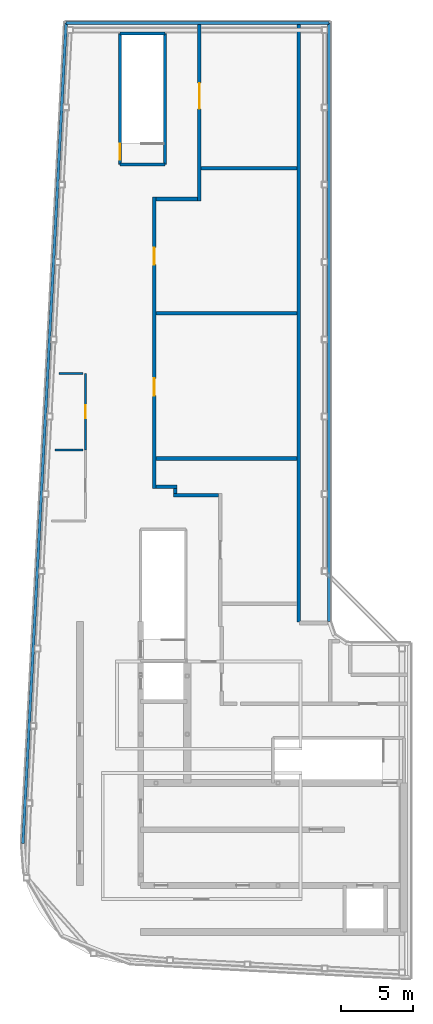
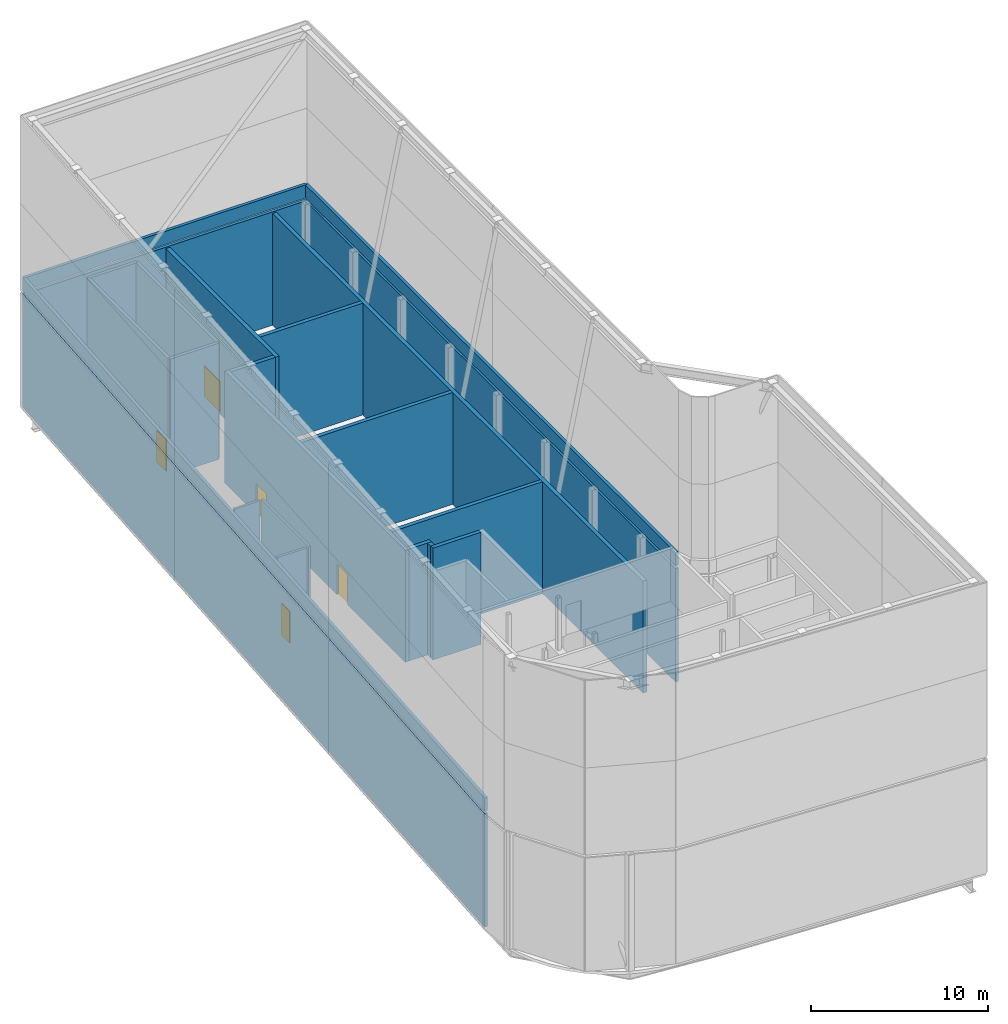
# One storey, part 6 of 7: 23 walls, 5 doors, 5 openings.
"""IFC4 building model written with IfcOpenShell, lengths in metres."""

from ifc_helpers import new_model, si_unit, direction, frame, frame_2d, origin, place, context, subcontext, project, spatial, rectangle, extrude, source, transform, mapped, material, layer, layer_set, type_object, element, fill, save


model = new_model("IFC4")

# Units and contexts
model_context = context("Model", 3, precision=1e-05, world=origin(), true_north=direction((0.0, 1.0)))
body_context = subcontext(model_context, "Body", "Model", "MODEL_VIEW")
ifc_project = project(units=[si_unit("LENGTHUNIT", "METRE"), si_unit("AREAUNIT", "SQUARE_METRE"), si_unit("VOLUMEUNIT", "CUBIC_METRE"), si_unit("PLANEANGLEUNIT", "RADIAN"), si_unit("MASSUNIT", "GRAM", prefix="KILO")], contexts=[model_context])

# Site, building, storey
site_placement = place(None, origin())
site = spatial("IfcSite", under=ifc_project, at=site_placement, CompositionType="ELEMENT")
building_placement = place(site_placement, origin())
building = spatial("IfcBuilding", under=site, at=building_placement, Name="Kheshtan School and Residences Tower", CompositionType="ELEMENT")
storey_placement = place(building_placement, frame((0.0, 0.0, 404.800048828125)))
storey = spatial("IfcBuildingStorey", under=building, at=storey_placement, Name="L94", CompositionType="ELEMENT", Elevation=404.800048828125)

# Walls
ifc_material_1 = material(Name="Concrete C40/50 with ceramic cladding and mineral wool insulation", Category="concrete")
ifc_layer_1 = layer(ifc_material_1, 0.199951171875)
ifc_layer_set_1 = layer_set([ifc_layer_1], Name="Plant enclosure wall 200")
wall_type_1 = type_object("IfcWallType", Name="Plant enclosure wall 200", PredefinedType="SOLIDWALL", material=ifc_layer_set_1)
wall_1_placement = place(storey_placement, frame((26.52001953125, 31.989990234375, 0.0), z_axis=(0.0, 0.0, 1.0), x_axis=(0.052572230023, 0.998617124142, 0.0)))
element("IfcWall", 1, at=wall_1_placement, inside=storey, type_object=wall_type_1, Name="Plant enclosure wall L94 10", PredefinedType="SOLIDWALL", context=body_context, shape_type="SweptSolid", body=[
    extrude(rectangle(XDim=57.389404296875, YDim=0.199951171875, at=frame_2d((28.69482421875, 0.0))), origin(), (0.0, 0.0, 1.0), 7.800048828125),
])
wall_2_placement = place(storey_placement, frame((29.537109375, 89.300048828125, 0.0), z_axis=(0.0, 0.0, 1.0), x_axis=(1.0, 0.0, 0.0)))
element("IfcWall", 2, at=wall_2_placement, inside=storey, type_object=wall_type_1, Name="Plant enclosure wall L94 11", PredefinedType="SOLIDWALL", context=body_context, shape_type="SweptSolid", body=[
    extrude(rectangle(XDim=18.36279296875, YDim=0.199951171875, at=frame_2d((9.181396484375, 0.0))), origin(), (0.0, 0.0, 1.0), 7.800048828125),
])
wall_3_placement = place(storey_placement, frame((47.89990234375, 89.300048828125, 0.0), z_axis=(0.0, 0.0, 1.0), x_axis=(0.0, -1.0, 0.0)))
element("IfcWall", 3, at=wall_3_placement, inside=storey, type_object=wall_type_1, Name="Plant enclosure wall L94 12", PredefinedType="SOLIDWALL", context=body_context, shape_type="SweptSolid", body=[
    extrude(rectangle(XDim=41.817138671875, YDim=0.199951171875, at=frame_2d((20.90869140625, 0.0))), origin(), (0.0, 0.0, 1.0), 7.800048828125),
])

# Wall, openings, doors
ifc_material_2 = material(Name="Fire-board and steel stud wall with mineral wool", Category="steel")
ifc_layer_2 = layer(ifc_material_2, 0.25)
ifc_layer_set_2 = layer_set([ifc_layer_2], Name="Plant room wall 250")
wall_type_2 = type_object("IfcWallType", Name="Plant room wall 250", PredefinedType="PARTITIONING", material=ifc_layer_set_2)
wall_4_placement = place(storey_placement, frame((35.699951171875, 56.77490234375, 0.0), z_axis=(0.0, 0.0, 1.0), x_axis=(0.0, 1.0, 0.0)))
wall_4 = element("IfcWall", 4, at=wall_4_placement, inside=storey, type_object=wall_type_2, Name="Partition L94-001", PredefinedType="PARTITIONING", context=body_context, shape_type="SweptSolid", body=[
    extrude(rectangle(XDim=20.35009765625, YDim=0.25, at=frame_2d((10.175048828125, 0.0))), origin(), (0.0, 0.0, 1.0), 7.699951171875),
])
opening_1_placement = place(wall_4_placement, frame((6.4970703125, 0.0, 0.0)))
opening_1 = element("IfcOpeningElement", 5, at=opening_1_placement, cuts=wall_4, Name="Opening D94-004", PredefinedType="OPENING", context=body_context, shape_type="SweptSolid", body=[
    extrude(rectangle(XDim=1.199951171875, YDim=2.10009765625, at=frame_2d((0.60009765625, 1.050048828125))), frame((0.0, 0.135009765625, 0.0), z_axis=(0.0, -1.0, 0.0), x_axis=(1.0, 0.0, 0.0)), (0.0, 0.0, 1.0), 0.27001953125),
])
opening_2_placement = place(wall_4_placement, frame((15.633056640625, 0.0, 0.0)))
opening_2 = element("IfcOpeningElement", 6, at=opening_2_placement, cuts=wall_4, Name="Opening D94-005", PredefinedType="OPENING", context=body_context, shape_type="SweptSolid", body=[
    extrude(rectangle(XDim=1.199951171875, YDim=2.10009765625, at=frame_2d((0.60009765625, 1.050048828125))), frame((0.0, 0.135009765625, 0.0), z_axis=(0.0, -1.0, 0.0), x_axis=(1.0, 0.0, 0.0)), (0.0, 0.0, 1.0), 0.27001953125),
])
ifc_material_3 = material(Name="Steel-framed fire-resisting door leaf", Category="steel")
door_type_1 = type_object("IfcDoorType", Name="Fire door FD120 1200 x 2100", OperationType="SINGLE_SWING_LEFT", PredefinedType="DOOR", material=ifc_material_3)
shared_shape_1 = source(origin(), body_context, "Body", "SweptSolid", [
    extrude(rectangle(XDim=1.199951171875, YDim=2.10009765625, at=frame_2d((0.60009765625, 1.050048828125))), frame((0.0, 0.02490234375, 0.0), z_axis=(0.0, -1.0, 0.0), x_axis=(1.0, 0.0, 0.0)), (0.0, 0.0, 1.0), 0.050048828125),
])
door_1_placement = place(opening_1_placement, origin())
door_1 = element("IfcDoor", 7, at=door_1_placement, inside=storey, type_object=door_type_1, Name="Door D94-004", OperationType="SINGLE_SWING_RIGHT", OverallHeight=2.10009765625, OverallWidth=1.199951171875, PredefinedType="DOOR", context=body_context, shape_type="MappedRepresentation", body=[
    mapped(shared_shape_1, transform((0.0, 0.0, 0.0), x_axis=(1.0, 0.0, 0.0), y_axis=(0.0, 1.0, 0.0), z_axis=(0.0, 0.0, 1.0), scale=1.0)),
])
fill(opening_1, door_1)
door_2_placement = place(opening_2_placement, origin())
door_2 = element("IfcDoor", 8, at=door_2_placement, inside=storey, type_object=door_type_1, Name="Door D94-005", OperationType="SINGLE_SWING_LEFT", OverallHeight=2.10009765625, OverallWidth=1.199951171875, PredefinedType="DOOR", context=body_context, shape_type="MappedRepresentation", body=[
    mapped(shared_shape_1, transform((0.0, 0.0, 0.0), x_axis=(1.0, 0.0, 0.0), y_axis=(0.0, 1.0, 0.0), z_axis=(0.0, 0.0, 1.0), scale=1.0)),
])
fill(opening_2, door_2)

# Walls
wall_5_placement = place(storey_placement, frame((35.824951171875, 56.89990234375, 0.0), z_axis=(0.0, 0.0, 1.0), x_axis=(1.0, 0.0, 0.0)))
element("IfcWall", 9, at=wall_5_placement, inside=storey, type_object=wall_type_2, Name="Partition L94-002", PredefinedType="PARTITIONING", context=body_context, shape_type="SweptSolid", body=[
    extrude(rectangle(XDim=1.449951171875, YDim=0.25, at=frame_2d((0.72509765625, 0.0))), origin(), (0.0, 0.0, 1.0), 7.699951171875),
])
for number, where, z_axis, x_axis, name in (
    (10, (35.824951171875, 58.8720703125, 0.0), (0.0, 0.0, 1.0), (1.0, 0.0, 0.0), "Partition L94-003"),
    (11, (35.824951171875, 69.008056640625, 0.0), (0.0, 0.0, 1.0), (1.0, 0.0, 0.0), "Partition L94-004"),
):
    element("IfcWall", number, at=place(storey_placement, frame(where, z_axis=z_axis, x_axis=x_axis)), inside=storey, type_object=wall_type_2, Name=name, PredefinedType="PARTITIONING", context=body_context, shape_type="SweptSolid", body=[
        extrude(rectangle(XDim=9.830078125, YDim=0.25, at=frame_2d((4.9150390625, 0.0))), origin(), (0.0, 0.0, 1.0), 7.699951171875),
    ])
wall_6_placement = place(storey_placement, frame((35.824951171875, 77.0, 0.0), z_axis=(0.0, 0.0, 1.0), x_axis=(1.0, 0.0, 0.0)))
element("IfcWall", 12, at=wall_6_placement, inside=storey, type_object=wall_type_2, Name="Partition L94-005", PredefinedType="PARTITIONING", context=body_context, shape_type="SweptSolid", body=[
    extrude(rectangle(XDim=2.900146484375, YDim=0.25, at=frame_2d((1.4501953125, 0.0))), origin(), (0.0, 0.0, 1.0), 7.699951171875),
])
wall_7_placement = place(storey_placement, frame((37.02490234375, 56.31005859375, 0.0), z_axis=(0.0, 0.0, 1.0), x_axis=(1.0, 0.0, 0.0)))
element("IfcWall", 13, at=wall_7_placement, inside=storey, type_object=wall_type_2, Name="Partition L94-006", PredefinedType="PARTITIONING", context=body_context, shape_type="SweptSolid", body=[
    extrude(rectangle(XDim=3.150146484375, YDim=0.25, at=frame_2d((1.5751953125, 0.0))), origin(), (0.0, 0.0, 1.0), 7.699951171875),
])
wall_8_placement = place(storey_placement, frame((37.14990234375, 56.43505859375, 0.0), z_axis=(0.0, 0.0, 1.0), x_axis=(0.0, 1.0, 0.0)))
element("IfcWall", 14, at=wall_8_placement, inside=storey, type_object=wall_type_2, Name="Partition L94-007", PredefinedType="PARTITIONING", context=body_context, shape_type="SweptSolid", body=[
    extrude(rectangle(XDim=0.33984375, YDim=0.25, at=frame_2d((0.169921875, 0.0))), origin(), (0.0, 0.0, 1.0), 7.699951171875),
])

# Wall, opening, door
wall_9_placement = place(storey_placement, frame((38.85009765625, 76.875, 0.0), z_axis=(0.0, 0.0, 1.0), x_axis=(0.0, 1.0, 0.0)))
wall_9 = element("IfcWall", 15, at=wall_9_placement, inside=storey, type_object=wall_type_2, Name="Partition L94-008", PredefinedType="PARTITIONING", context=body_context, shape_type="SweptSolid", body=[
    extrude(rectangle(XDim=12.325927734375, YDim=0.25, at=frame_2d((6.1630859375, 0.0))), origin(), (0.0, 0.0, 1.0), 7.699951171875),
])
opening_3_placement = place(wall_9_placement, frame((6.4189453125, 0.0, 0.0)))
opening_3 = element("IfcOpeningElement", 16, at=opening_3_placement, cuts=wall_9, Name="Opening D94-006", PredefinedType="OPENING", context=body_context, shape_type="SweptSolid", body=[
    extrude(rectangle(XDim=1.800048828125, YDim=2.10009765625, at=frame_2d((0.89990234375, 1.050048828125))), frame((0.0, 0.135009765625, 0.0), z_axis=(0.0, -1.0, 0.0), x_axis=(1.0, 0.0, 0.0)), (0.0, 0.0, 1.0), 0.27001953125),
])
door_type_2 = type_object("IfcDoorType", Name="Fire double door FD120 1800 x 2100", OperationType="DOUBLE_DOOR_SINGLE_SWING", PredefinedType="DOOR", material=ifc_material_3)
shared_shape_2 = source(origin(), body_context, "Body", "SweptSolid", [
    extrude(rectangle(XDim=1.800048828125, YDim=2.10009765625, at=frame_2d((0.89990234375, 1.050048828125))), frame((0.0, 0.02490234375, 0.0), z_axis=(0.0, -1.0, 0.0), x_axis=(1.0, 0.0, 0.0)), (0.0, 0.0, 1.0), 0.050048828125),
])
door_3_placement = place(opening_3_placement, origin())
door_3 = element("IfcDoor", 17, at=door_3_placement, inside=storey, type_object=door_type_2, Name="Door D94-006", OperationType="DOUBLE_DOOR_SINGLE_SWING", OverallHeight=2.10009765625, OverallWidth=1.800048828125, PredefinedType="DOOR", context=body_context, shape_type="MappedRepresentation", body=[
    mapped(shared_shape_2, transform((0.0, 0.0, 0.0), x_axis=(1.0, 0.0, 0.0), y_axis=(0.0, 1.0, 0.0), z_axis=(0.0, 0.0, 1.0), scale=1.0)),
])
fill(opening_3, door_3)

# Walls
wall_10_placement = place(storey_placement, frame((38.97509765625, 79.14404296875, 0.0), z_axis=(0.0, 0.0, 1.0), x_axis=(1.0, 0.0, 0.0)))
element("IfcWall", 18, at=wall_10_placement, inside=storey, type_object=wall_type_2, Name="Partition L94-009", PredefinedType="PARTITIONING", context=body_context, shape_type="SweptSolid", body=[
    extrude(rectangle(XDim=6.679931640625, YDim=0.25, at=frame_2d((3.33984375, 0.0))), origin(), (0.0, 0.0, 1.0), 7.699951171875),
])
wall_11_placement = place(storey_placement, frame((45.780029296875, 47.450927734375, 0.0), z_axis=(0.0, 0.0, 1.0), x_axis=(0.0, 1.0, 0.0)))
element("IfcWall", 19, at=wall_11_placement, inside=storey, type_object=wall_type_2, Name="Partition L94-016", PredefinedType="PARTITIONING", context=body_context, shape_type="SweptSolid", body=[
    extrude(rectangle(XDim=41.75, YDim=0.25, at=frame_2d((20.875, 0.0))), origin(), (0.0, 0.0, 1.0), 7.699951171875),
])
ifc_layer_3 = layer(ifc_material_1, 0.199951171875)
ifc_layer_set_3 = layer_set([ifc_layer_3], Name="Roof parapet 200")
wall_type_3 = type_object("IfcWallType", Name="Roof parapet 200", PredefinedType="PARAPET", material=ifc_layer_set_3)
wall_12_placement = place(storey_placement, frame((26.52001953125, 31.989990234375, 8.0), z_axis=(0.0, 0.0, 1.0), x_axis=(0.052572230023, 0.998617124142, 0.0)))
element("IfcWall", 20, at=wall_12_placement, inside=storey, type_object=wall_type_3, Name="Roof parapet 10", PredefinedType="PARAPET", context=body_context, shape_type="SweptSolid", body=[
    extrude(rectangle(XDim=57.389404296875, YDim=0.199951171875, at=frame_2d((28.69482421875, 0.0))), origin(), (0.0, 0.0, 1.0), 0.89990234375),
])
wall_13_placement = place(storey_placement, frame((29.537109375, 89.300048828125, 8.0), z_axis=(0.0, 0.0, 1.0), x_axis=(1.0, 0.0, 0.0)))
element("IfcWall", 21, at=wall_13_placement, inside=storey, type_object=wall_type_3, Name="Roof parapet 11", PredefinedType="PARAPET", context=body_context, shape_type="SweptSolid", body=[
    extrude(rectangle(XDim=18.36279296875, YDim=0.199951171875, at=frame_2d((9.181396484375, 0.0))), origin(), (0.0, 0.0, 1.0), 0.89990234375),
])
wall_14_placement = place(storey_placement, frame((47.89990234375, 89.300048828125, 8.0), z_axis=(0.0, 0.0, 1.0), x_axis=(0.0, -1.0, 0.0)))
element("IfcWall", 22, at=wall_14_placement, inside=storey, type_object=wall_type_3, Name="Roof parapet 12", PredefinedType="PARAPET", context=body_context, shape_type="SweptSolid", body=[
    extrude(rectangle(XDim=41.817138671875, YDim=0.199951171875, at=frame_2d((20.90869140625, 0.0))), origin(), (0.0, 0.0, 1.0), 0.89990234375),
])
ifc_material_4 = material(Name="Fire-board shaft wall system")
ifc_layer_4 = layer(ifc_material_4, 0.14990234375)
ifc_layer_set_4 = layer_set([ifc_layer_4], Name="Service room wall 150")
wall_type_4 = type_object("IfcWallType", Name="Service room wall 150", PredefinedType="PARTITIONING", material=ifc_layer_set_4)
wall_15_placement = place(storey_placement, frame((28.77001953125, 59.466064453125, 0.0), z_axis=(0.0, 0.0, 1.0), x_axis=(1.0, 0.0, 0.0)))
element("IfcWall", 23, at=wall_15_placement, inside=storey, type_object=wall_type_4, Name="Service room wall", PredefinedType="PARTITIONING", context=body_context, shape_type="SweptSolid", body=[
    extrude(rectangle(XDim=1.93505859375, YDim=0.14990234375, at=frame_2d((0.967529296875, 0.0))), origin(), (0.0, 0.0, 1.0), 8.0),
])

# Wall, opening, door
wall_16_placement = place(storey_placement, frame((30.89990234375, 59.466064453125, 0.0), z_axis=(0.0, 0.0, 1.0), x_axis=(0.0, 1.0, 0.0)))
wall_16 = element("IfcWall", 24, at=wall_16_placement, inside=storey, type_object=wall_type_4, Name="Service room wall", PredefinedType="PARTITIONING", context=body_context, shape_type="SweptSolid", body=[
    extrude(rectangle(XDim=5.333984375, YDim=0.14990234375, at=frame_2d((2.6669921875, 0.0))), origin(), (0.0, 0.0, 1.0), 8.0),
])
opening_4_placement = place(wall_16_placement, frame((2.217041015625, 0.0, 0.0)))
opening_4 = element("IfcOpeningElement", 25, at=opening_4_placement, cuts=wall_16, Name="Opening SR90", PredefinedType="OPENING", context=body_context, shape_type="SweptSolid", body=[
    extrude(rectangle(XDim=0.89990234375, YDim=2.199951171875, at=frame_2d((0.449951171875, 1.10009765625))), frame((0.0, 0.0849609375, 0.0), z_axis=(0.0, -1.0, 0.0), x_axis=(1.0, 0.0, 0.0)), (0.0, 0.0, 1.0), 0.169921875),
])
ifc_material_5 = material(Name="Steel door leaf, galvanised", Category="steel")
door_type_3 = type_object("IfcDoorType", Name="Service room door 900 steel 90 min", OperationType="SINGLE_SWING_LEFT", PredefinedType="DOOR", material=ifc_material_5)
shared_shape_3 = source(origin(), body_context, "Body", "SweptSolid", [
    extrude(rectangle(XDim=0.89990234375, YDim=2.199951171875, at=frame_2d((0.449951171875, 1.10009765625))), frame((0.0, 0.02490234375, 0.0), z_axis=(0.0, -1.0, 0.0), x_axis=(1.0, 0.0, 0.0)), (0.0, 0.0, 1.0), 0.050048828125),
])
door_4_placement = place(opening_4_placement, origin())
door_4 = element("IfcDoor", 26, at=door_4_placement, inside=storey, type_object=door_type_3, Name="Service room door", OperationType="SINGLE_SWING_RIGHT", OverallHeight=2.199951171875, OverallWidth=0.89990234375, PredefinedType="DOOR", context=body_context, shape_type="MappedRepresentation", body=[
    mapped(shared_shape_3, transform((0.0, 0.0, 0.0), x_axis=(1.0, 0.0, 0.0), y_axis=(0.0, 1.0, 0.0), z_axis=(0.0, 0.0, 1.0), scale=1.0)),
])
fill(opening_4, door_4)

# Walls
wall_17_placement = place(storey_placement, frame((29.050048828125, 64.800048828125, 0.0), z_axis=(0.0, 0.0, 1.0), x_axis=(1.0, 0.0, 0.0)))
element("IfcWall", 27, at=wall_17_placement, inside=storey, type_object=wall_type_4, Name="Service room wall", PredefinedType="PARTITIONING", context=body_context, shape_type="SweptSolid", body=[
    extrude(rectangle(XDim=1.655029296875, YDim=0.14990234375, at=frame_2d((0.82763671875, 0.0))), origin(), (0.0, 0.0, 1.0), 8.0),
])
ifc_material_6 = material(Name="Concrete C40/50", Category="concrete")
ifc_layer_5 = layer(ifc_material_6, 0.199951171875)
ifc_layer_set_5 = layer_set([ifc_layer_5], Name="Stair enclosure wall 200 Concrete C40/50")
wall_type_5 = type_object("IfcWallType", Name="Stair enclosure wall 200 Concrete C40/50", PredefinedType="SHEAR", material=ifc_layer_set_5)
for number, where, z_axis, x_axis, name in (
    (28, (33.300048828125, 79.39990234375, 0.0), (0.0, 0.0, 1.0), (1.0, 0.0, 0.0), "Stair enclosure wall ST3"),
    (29, (33.300048828125, 88.56005859375, 0.0), (0.0, 0.0, 1.0), (1.0, 0.0, 0.0), "Stair enclosure wall ST3"),
):
    element("IfcWall", number, at=place(storey_placement, frame(where, z_axis=z_axis, x_axis=x_axis)), inside=storey, type_object=wall_type_5, Name=name, PredefinedType="SHEAR", context=body_context, shape_type="SweptSolid", body=[
        extrude(rectangle(XDim=3.14990234375, YDim=0.199951171875, at=frame_2d((1.574951171875, 0.0))), origin(), (0.0, 0.0, 1.0), 8.0),
    ])

# Wall, opening, door
wall_18_placement = place(storey_placement, frame((33.300048828125, 79.39990234375, 0.0), z_axis=(0.0, 0.0, 1.0), x_axis=(0.0, 1.0, 0.0)))
wall_18 = element("IfcWall", 30, at=wall_18_placement, inside=storey, type_object=wall_type_5, Name="Stair enclosure wall ST3", PredefinedType="SHEAR", context=body_context, shape_type="SweptSolid", body=[
    extrude(rectangle(XDim=9.16015625, YDim=0.199951171875, at=frame_2d((4.580078125, 0.0))), origin(), (0.0, 0.0, 1.0), 8.0),
])
opening_5_placement = place(wall_18_placement, frame((0.35009765625, 0.0, 0.0)))
opening_5 = element("IfcOpeningElement", 31, at=opening_5_placement, cuts=wall_18, Name="Opening ST3D", PredefinedType="OPENING", context=body_context, shape_type="SweptSolid", body=[
    extrude(rectangle(XDim=1.10009765625, YDim=2.199951171875, at=frame_2d((0.550048828125, 1.10009765625))), frame((0.0, 0.10986328125, 0.0), z_axis=(0.0, -1.0, 0.0), x_axis=(1.0, 0.0, 0.0)), (0.0, 0.0, 1.0), 0.219970703125),
])
door_type_4 = type_object("IfcDoorType", Name="Stair door 1100 steel 90 min", OperationType="SINGLE_SWING_LEFT", PredefinedType="DOOR", material=ifc_material_5)
shared_shape_4 = source(origin(), body_context, "Body", "SweptSolid", [
    extrude(rectangle(XDim=1.10009765625, YDim=2.199951171875, at=frame_2d((0.550048828125, 1.10009765625))), frame((0.0, 0.02490234375, 0.0), z_axis=(0.0, -1.0, 0.0), x_axis=(1.0, 0.0, 0.0)), (0.0, 0.0, 1.0), 0.050048828125),
])
door_5_placement = place(opening_5_placement, origin())
door_5 = element("IfcDoor", 32, at=door_5_placement, inside=storey, type_object=door_type_4, Name="Stair ST3 door", OperationType="SINGLE_SWING_RIGHT", OverallHeight=2.199951171875, OverallWidth=1.10009765625, PredefinedType="DOOR", context=body_context, shape_type="MappedRepresentation", body=[
    mapped(shared_shape_4, transform((0.0, 0.0, 0.0), x_axis=(1.0, 0.0, 0.0), y_axis=(0.0, 1.0, 0.0), z_axis=(0.0, 0.0, 1.0), scale=1.0)),
])
fill(opening_5, door_5)

# Wall
wall_19_placement = place(storey_placement, frame((36.449951171875, 79.39990234375, 0.0), z_axis=(0.0, 0.0, 1.0), x_axis=(0.0, 1.0, 0.0)))
element("IfcWall", 33, at=wall_19_placement, inside=storey, type_object=wall_type_5, Name="Stair enclosure wall ST3", PredefinedType="SHEAR", context=body_context, shape_type="SweptSolid", body=[
    extrude(rectangle(XDim=9.16015625, YDim=0.199951171875, at=frame_2d((4.580078125, 0.0))), origin(), (0.0, 0.0, 1.0), 8.0),
])

save(model, "model.ifc")
